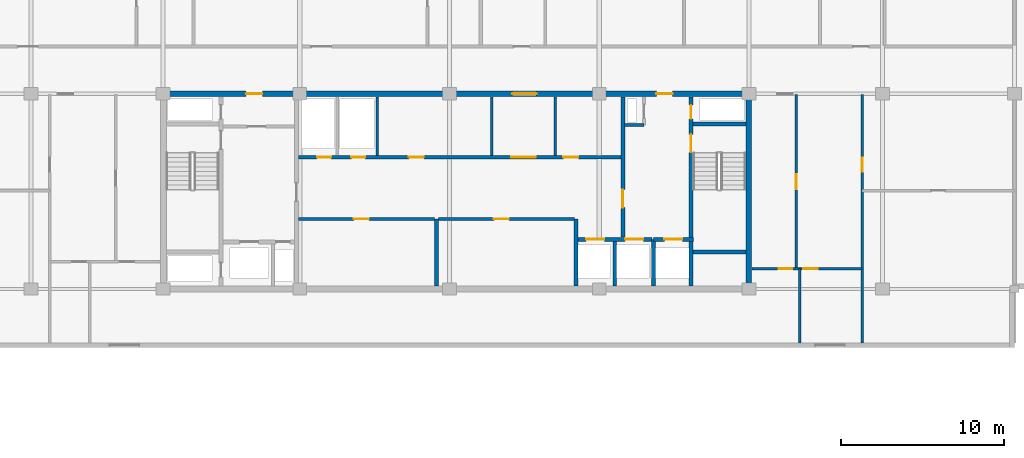
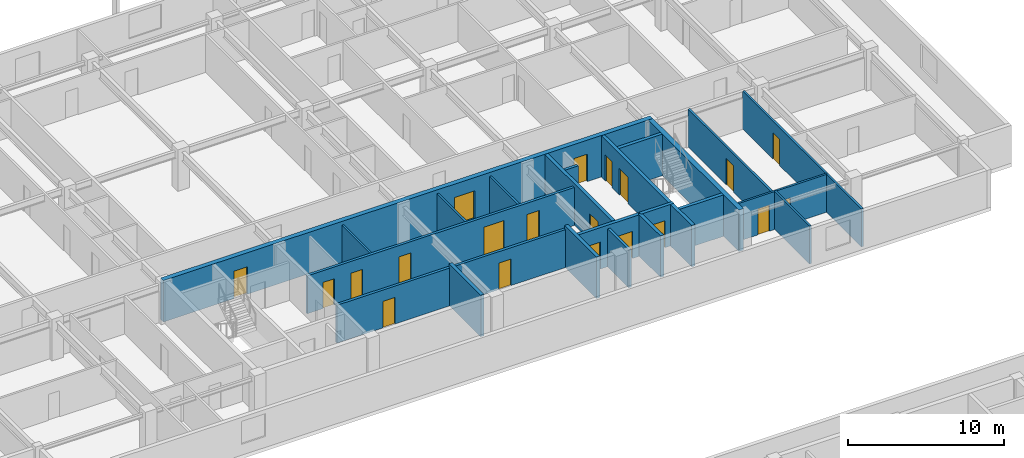
# One storey, part 12 of 22: 23 walls, 20 doors, 20 openings.
"""IFC4 building model written with IfcOpenShell, lengths in metres."""

from ifc_helpers import new_model, si_unit, direction, frame, frame_2d, origin, place, context, subcontext, project, spatial, rectangle, extrude, material, layer, layer_set, type_object, element, fill, save


model = new_model("IFC4")

# Units and contexts
model_context = context("Model", 3, precision=1e-05, world=origin(), true_north=direction((0.0, 1.0)))
body_context = subcontext(model_context, "Body", "Model", "MODEL_VIEW")
ifc_project = project(units=[si_unit("LENGTHUNIT", "METRE"), si_unit("AREAUNIT", "SQUARE_METRE"), si_unit("VOLUMEUNIT", "CUBIC_METRE"), si_unit("PLANEANGLEUNIT", "RADIAN"), si_unit("MASSUNIT", "GRAM", prefix="KILO")], contexts=[model_context])

# Site, building, storey
site_placement = place(None, origin())
site = spatial("IfcSite", under=ifc_project, at=site_placement, CompositionType="ELEMENT")
building_placement = place(site_placement, origin())
building = spatial("IfcBuilding", under=site, at=building_placement, Name="Korimba Cascade Residences", CompositionType="ELEMENT")
storey_placement = place(building_placement, frame((0.0, 0.0, 197.85009765625)))
storey = spatial("IfcBuildingStorey", under=building, at=storey_placement, Name="L57", CompositionType="ELEMENT", Elevation=197.85009765625)

# Wall
ifc_material_1 = material(Name="Concrete C65/80", Category="concrete")
ifc_layer_1 = layer(ifc_material_1, 0.35009765625)
ifc_layer_set_1 = layer_set([ifc_layer_1], Name="Concrete C65/80")
wall_type_1 = type_object("IfcWallType", Name="WAL-CORE-350", PredefinedType="SHEAR", material=ifc_layer_set_1)
wall_1_placement = place(storey_placement, frame((112.074951171875, 55.375, 0.0), z_axis=(0.0, 0.0, 1.0), x_axis=(0.0, 1.0, 0.0)))
element("IfcWall", 1, at=wall_1_placement, inside=storey, type_object=wall_type_1, Name="L57 Core Shear Wall CW-L57-T1-E", PredefinedType="SHEAR", context=body_context, shape_type="SweptSolid", body=[
    extrude(rectangle(XDim=11.64990234375, YDim=0.35009765625, at=frame_2d((5.824951171875, 0.0))), origin(), (0.0, 0.0, 1.0), 3.25),
])

# Wall, openings, doors
wall_2_placement = place(storey_placement, frame((75.949951171875, 67.199951171875, 0.0), z_axis=(0.0, 0.0, 1.0), x_axis=(1.0, 0.0, 0.0)))
wall_2 = element("IfcWall", 2, at=wall_2_placement, inside=storey, type_object=wall_type_1, Name="L57 Core Shear Wall CW-L57-T1-N", PredefinedType="SHEAR", context=body_context, shape_type="SweptSolid", body=[
    extrude(rectangle(XDim=36.300048828125, YDim=0.35009765625, at=frame_2d((18.14990234375, 0.0))), origin(), (0.0, 0.0, 1.0), 3.25),
])
opening_1_placement = place(wall_2_placement, frame((5.25, 0.0, 0.0)))
opening_1 = element("IfcOpeningElement", 3, at=opening_1_placement, cuts=wall_2, Name="Opening D-FD5", PredefinedType="OPENING", context=body_context, shape_type="SweptSolid", body=[
    extrude(rectangle(XDim=1.0, YDim=2.14990234375, at=frame_2d((0.5, 1.074951171875))), frame((0.0, 0.18505859375, 0.0), z_axis=(0.0, -1.0, 0.0), x_axis=(1.0, 0.0, 0.0)), (0.0, 0.0, 1.0), 0.3701171875),
])
opening_2_placement = place(wall_2_placement, frame((21.60009765625, 0.0, 0.0)))
opening_2 = element("IfcOpeningElement", 4, at=opening_2_placement, cuts=wall_2, Name="Opening D-FD8", PredefinedType="OPENING", context=body_context, shape_type="SweptSolid", body=[
    extrude(rectangle(XDim=1.5, YDim=2.199951171875, at=frame_2d((0.75, 1.10009765625))), frame((0.0, 0.18505859375, 0.0), z_axis=(0.0, -1.0, 0.0), x_axis=(1.0, 0.0, 0.0)), (0.0, 0.0, 1.0), 0.3701171875),
])
opening_3_placement = place(wall_2_placement, frame((30.449951171875, 0.0, 0.0)))
opening_3 = element("IfcOpeningElement", 5, at=opening_3_placement, cuts=wall_2, Name="Opening D-FD5", PredefinedType="OPENING", context=body_context, shape_type="SweptSolid", body=[
    extrude(rectangle(XDim=1.0, YDim=2.14990234375, at=frame_2d((0.5, 1.074951171875))), frame((0.0, 0.18505859375, 0.0), z_axis=(0.0, -1.0, 0.0), x_axis=(1.0, 0.0, 0.0)), (0.0, 0.0, 1.0), 0.3701171875),
])
ifc_material_2 = material(Name="Fire-Rated Acoustic Timber Vestibule Door", Category="wood")
door_type_1 = type_object("IfcDoorType", Name="DR-FD90-1000", OperationType="NOTDEFINED", PredefinedType="DOOR", material=ifc_material_2)
door_1_placement = place(opening_1_placement, origin())
door_1 = element("IfcDoor", 6, at=door_1_placement, inside=storey, type_object=door_type_1, Name="L57 T1 West Core Vestibule Fire Door", OperationType="SINGLE_SWING_RIGHT", OverallHeight=2.14990234375, OverallWidth=1.0, PredefinedType="DOOR", context=body_context, shape_type="SweptSolid", body=[
    extrude(rectangle(XDim=1.0, YDim=2.14990234375, at=frame_2d((0.5, 1.074951171875))), frame((0.0, 0.02490234375, 0.0), z_axis=(0.0, -1.0, 0.0), x_axis=(1.0, 0.0, 0.0)), (0.0, 0.0, 1.0), 0.050048828125),
])
fill(opening_1, door_1)
door_2_placement = place(opening_3_placement, origin())
door_2 = element("IfcDoor", 7, at=door_2_placement, inside=storey, type_object=door_type_1, Name="L57 T1 East Firefighting Vestibule Fire Door", OperationType="SINGLE_SWING_LEFT", OverallHeight=2.14990234375, OverallWidth=1.0, PredefinedType="DOOR", context=body_context, shape_type="SweptSolid", body=[
    extrude(rectangle(XDim=1.0, YDim=2.14990234375, at=frame_2d((0.5, 1.074951171875))), frame((0.0, 0.02490234375, 0.0), z_axis=(0.0, -1.0, 0.0), x_axis=(1.0, 0.0, 0.0)), (0.0, 0.0, 1.0), 0.050048828125),
])
fill(opening_3, door_2)
ifc_material_3 = material(Name="Fire-Rated Glazed Lift Lobby Double Door", Category="glass")
door_type_2 = type_object("IfcDoorType", Name="DR-FD90-1500", OperationType="NOTDEFINED", PredefinedType="DOOR", material=ifc_material_3)
door_3_placement = place(opening_2_placement, origin())
door_3 = element("IfcDoor", 8, at=door_3_placement, inside=storey, type_object=door_type_2, Name="L57 T1 Lift Lobby Fire Door", OperationType="DOUBLE_DOOR_SINGLE_SWING", OverallHeight=2.199951171875, OverallWidth=1.5, PredefinedType="DOOR", context=body_context, shape_type="SweptSolid", body=[
    extrude(rectangle(XDim=1.5, YDim=2.199951171875, at=frame_2d((0.75, 1.10009765625))), frame((0.0, 0.02490234375, 0.0), z_axis=(0.0, -1.0, 0.0), x_axis=(1.0, 0.0, 0.0)), (0.0, 0.0, 1.0), 0.050048828125),
])
fill(opening_2, door_3)

# Walls
ifc_material_4 = material(Name="Insulated Acoustic Stud Partition", Category="gypsum")
ifc_layer_2 = layer(ifc_material_4, 0.14990234375)
ifc_layer_set_2 = layer_set([ifc_layer_2], Name="Insulated Acoustic Stud Partition")
wall_type_2 = type_object("IfcWallType", Name="WAL-PART-150", PredefinedType="PARTITIONING", material=ifc_layer_set_2)
for number, where, z_axis, x_axis, name in (
    (9, (89.25, 63.39990234375, 0.0), (0.0, 0.0, 1.0), (0.0, 1.0, 0.0), "L57 Partition Wall CW-L57-T1-PRDIV"),
    (10, (96.300048828125, 63.39990234375, 0.0), (0.0, 0.0, 1.0), (0.0, 1.0, 0.0), "L57 Partition Wall CW-L57-T1-THW"),
    (11, (100.199951171875, 63.39990234375, 0.0), (0.0, 0.0, 1.0), (0.0, 1.0, 0.0), "L57 Partition Wall CW-L57-T1-THE"),
):
    element("IfcWall", number, at=place(storey_placement, frame(where, z_axis=z_axis, x_axis=x_axis)), inside=storey, type_object=wall_type_2, Name=name, PredefinedType="PARTITIONING", context=body_context, shape_type="SweptSolid", body=[
        extrude(rectangle(XDim=3.60009765625, YDim=0.14990234375, at=frame_2d((1.800048828125, 0.0))), origin(), (0.0, 0.0, 1.0), 2.969970703125),
    ])

# Wall, opening, door
wall_3_placement = place(storey_placement, frame((119.050048828125, 51.89990234375, 0.0), z_axis=(0.0, 0.0, 1.0), x_axis=(0.0, 1.0, 0.0)))
wall_3 = element("IfcWall", 12, at=wall_3_placement, inside=storey, type_object=wall_type_2, Name="L57 Partition Wall WAL-L57-T1-FE-STV", PredefinedType="PARTITIONING", context=body_context, shape_type="SweptSolid", body=[
    extrude(rectangle(XDim=15.25, YDim=0.14990234375, at=frame_2d((7.625, 0.0))), origin(), (0.0, 0.0, 1.0), 2.969970703125),
])
opening_4_placement = place(wall_3_placement, frame((10.5, 0.0, 0.0)))
opening_4 = element("IfcOpeningElement", 13, at=opening_4_placement, cuts=wall_3, Name="Opening D-IN2", PredefinedType="OPENING", context=body_context, shape_type="SweptSolid", body=[
    extrude(rectangle(XDim=0.8798828125, YDim=2.06005859375, at=frame_2d((0.43994140625, 1.030029296875))), frame((0.0, 0.0849609375, 0.0), z_axis=(0.0, -1.0, 0.0), x_axis=(1.0, 0.0, 0.0)), (0.0, 0.0, 1.0), 0.169921875),
])
ifc_material_5 = material(Name="Acoustic Timber Bedroom Door", Category="wood")
door_type_3 = type_object("IfcDoorType", Name="DR-INT-880", OperationType="NOTDEFINED", PredefinedType="DOOR", material=ifc_material_5)
door_4_placement = place(opening_4_placement, origin())
door_4 = element("IfcDoor", 14, at=door_4_placement, inside=storey, type_object=door_type_3, Name="L57-T1-FE Study Door", OperationType="SINGLE_SWING_LEFT", OverallHeight=2.06005859375, OverallWidth=0.8798828125, PredefinedType="DOOR", context=body_context, shape_type="SweptSolid", body=[
    extrude(rectangle(XDim=0.8798828125, YDim=2.06005859375, at=frame_2d((0.43994140625, 1.030029296875))), frame((0.0, 0.02490234375, 0.0), z_axis=(0.0, -1.0, 0.0), x_axis=(1.0, 0.0, 0.0)), (0.0, 0.0, 1.0), 0.050048828125),
])
fill(opening_4, door_4)

wall_4_placement = place(storey_placement, frame((115.0, 56.449951171875, 0.0), z_axis=(0.0, 0.0, 1.0), x_axis=(0.0, 1.0, 0.0)))
wall_4 = element("IfcWall", 15, at=wall_4_placement, inside=storey, type_object=wall_type_2, Name="L57 Partition Wall WAL-L57-T1-FE-VN", PredefinedType="PARTITIONING", context=body_context, shape_type="SweptSolid", body=[
    extrude(rectangle(XDim=10.699951171875, YDim=0.14990234375, at=frame_2d((5.35009765625, 0.0))), origin(), (0.0, 0.0, 1.0), 2.969970703125),
])
opening_5_placement = place(wall_4_placement, frame((4.889892578125, 0.0, 0.0)))
opening_5 = element("IfcOpeningElement", 16, at=opening_5_placement, cuts=wall_4, Name="Opening D-IN1", PredefinedType="OPENING", context=body_context, shape_type="SweptSolid", body=[
    extrude(rectangle(XDim=0.919921875, YDim=2.080078125, at=frame_2d((0.4599609375, 1.0400390625))), frame((0.0, 0.0849609375, 0.0), z_axis=(0.0, -1.0, 0.0), x_axis=(1.0, 0.0, 0.0)), (0.0, 0.0, 1.0), 0.169921875),
])
ifc_material_6 = material(Name="Acoustic Timber Living Door", Category="wood")
door_type_4 = type_object("IfcDoorType", Name="DR-INT-920", OperationType="NOTDEFINED", PredefinedType="DOOR", material=ifc_material_6)
door_5_placement = place(opening_5_placement, origin())
door_5 = element("IfcDoor", 17, at=door_5_placement, inside=storey, type_object=door_type_4, Name="L57-T1-FE Living Door", OperationType="SINGLE_SWING_RIGHT", OverallHeight=2.080078125, OverallWidth=0.919921875, PredefinedType="DOOR", context=body_context, shape_type="SweptSolid", body=[
    extrude(rectangle(XDim=0.919921875, YDim=2.080078125, at=frame_2d((0.4599609375, 1.0400390625))), frame((0.0, 0.02490234375, 0.0), z_axis=(0.0, -1.0, 0.0), x_axis=(1.0, 0.0, 0.0)), (0.0, 0.0, 1.0), 0.050048828125),
])
fill(opening_5, door_5)

# Wall
wall_5_placement = place(storey_placement, frame((115.199951171875, 51.89990234375, 0.0), z_axis=(0.0, 0.0, 1.0), x_axis=(0.0, 1.0, 0.0)))
element("IfcWall", 18, at=wall_5_placement, inside=storey, type_object=wall_type_2, Name="L57 Partition Wall WAL-L57-T1-FE-VS", PredefinedType="PARTITIONING", context=body_context, shape_type="SweptSolid", body=[
    extrude(rectangle(XDim=4.550048828125, YDim=0.14990234375, at=frame_2d((2.27490234375, 0.0))), origin(), (0.0, 0.0, 1.0), 2.969970703125),
])

# Wall, openings, doors
wall_6_placement = place(storey_placement, frame((112.27001953125, 56.449951171875, 0.0), z_axis=(0.0, 0.0, 1.0), x_axis=(1.0, 0.0, 0.0)))
wall_6 = element("IfcWall", 19, at=wall_6_placement, inside=storey, type_object=wall_type_2, Name="L57 Partition Wall WAL-L57-T1-FE-H", PredefinedType="PARTITIONING", context=body_context, shape_type="SweptSolid", body=[
    extrude(rectangle(XDim=6.760009765625, YDim=0.14990234375, at=frame_2d((3.3798828125, 0.0))), origin(), (0.0, 0.0, 1.0), 2.969970703125),
])
opening_6_placement = place(wall_6_placement, frame((1.6396484375, 0.0, 0.0)))
opening_6 = element("IfcOpeningElement", 20, at=opening_6_placement, cuts=wall_6, Name="Opening D-BT1", PredefinedType="OPENING", context=body_context, shape_type="SweptSolid", body=[
    extrude(rectangle(XDim=0.840087890625, YDim=2.0400390625, at=frame_2d((0.419921875, 1.02001953125))), frame((0.0, 0.0849609375, 0.0), z_axis=(0.0, -1.0, 0.0), x_axis=(1.0, 0.0, 0.0)), (0.0, 0.0, 1.0), 0.169921875),
])
opening_7_placement = place(wall_6_placement, frame((3.160400390625, 0.0, 0.0)))
opening_7 = element("IfcOpeningElement", 21, at=opening_7_placement, cuts=wall_6, Name="Opening D-IN2", PredefinedType="OPENING", context=body_context, shape_type="SweptSolid", body=[
    extrude(rectangle(XDim=0.8798828125, YDim=2.06005859375, at=frame_2d((0.43994140625, 1.030029296875))), frame((0.0, 0.0849609375, 0.0), z_axis=(0.0, -1.0, 0.0), x_axis=(1.0, 0.0, 0.0)), (0.0, 0.0, 1.0), 0.169921875),
])
ifc_material_7 = material(Name="Moisture-Resistant Bathroom Timber Door", Category="wood")
door_type_5 = type_object("IfcDoorType", Name="DR-INT-850", OperationType="NOTDEFINED", PredefinedType="DOOR", material=ifc_material_7)
door_6_placement = place(opening_6_placement, origin())
door_6 = element("IfcDoor", 22, at=door_6_placement, inside=storey, type_object=door_type_5, Name="L57-T1-FE Bathroom Door", OperationType="SINGLE_SWING_LEFT", OverallHeight=2.0400390625, OverallWidth=0.840087890625, PredefinedType="DOOR", context=body_context, shape_type="SweptSolid", body=[
    extrude(rectangle(XDim=0.840087890625, YDim=2.0400390625, at=frame_2d((0.419921875, 1.02001953125))), frame((0.0, 0.02490234375, 0.0), z_axis=(0.0, -1.0, 0.0), x_axis=(1.0, 0.0, 0.0)), (0.0, 0.0, 1.0), 0.050048828125),
])
fill(opening_6, door_6)
door_7_placement = place(opening_7_placement, origin())
door_7 = element("IfcDoor", 23, at=door_7_placement, inside=storey, type_object=door_type_3, Name="L57-T1-FE Bedroom Door", OperationType="SINGLE_SWING_RIGHT", OverallHeight=2.06005859375, OverallWidth=0.8798828125, PredefinedType="DOOR", context=body_context, shape_type="SweptSolid", body=[
    extrude(rectangle(XDim=0.8798828125, YDim=2.06005859375, at=frame_2d((0.43994140625, 1.030029296875))), frame((0.0, 0.02490234375, 0.0), z_axis=(0.0, -1.0, 0.0), x_axis=(1.0, 0.0, 0.0)), (0.0, 0.0, 1.0), 0.050048828125),
])
fill(opening_7, door_7)

# Wall, opening, door
ifc_material_8 = material(Name="Concrete C40/50", Category="concrete")
ifc_layer_3 = layer(ifc_material_8, 0.199951171875)
ifc_layer_set_3 = layer_set([ifc_layer_3], Name="Concrete C40/50")
wall_type_3 = type_object("IfcWallType", Name="WAL-PART-200", PredefinedType="PARTITIONING", material=ifc_layer_set_3)
wall_7_placement = place(storey_placement, frame((84.419921875, 59.5, 0.0), z_axis=(0.0, 0.0, 1.0), x_axis=(1.0, 0.0, 0.0)))
wall_7 = element("IfcWall", 24, at=wall_7_placement, inside=storey, type_object=wall_type_3, Name="L57 Partition Wall CW-L57-T1-B1RN", PredefinedType="PARTITIONING", context=body_context, shape_type="SweptSolid", body=[
    extrude(rectangle(XDim=8.360107421875, YDim=0.199951171875, at=frame_2d((4.18017578125, 0.0))), origin(), (0.0, 0.0, 1.0), 2.969970703125),
])
opening_8_placement = place(wall_7_placement, frame((3.39990234375, 0.0, 0.0)))
opening_8 = element("IfcOpeningElement", 25, at=opening_8_placement, cuts=wall_7, Name="Opening D-ST1", PredefinedType="OPENING", context=body_context, shape_type="SweptSolid", body=[
    extrude(rectangle(XDim=0.919921875, YDim=2.080078125, at=frame_2d((0.4599609375, 1.0400390625))), frame((0.0, 0.10986328125, 0.0), z_axis=(0.0, -1.0, 0.0), x_axis=(1.0, 0.0, 0.0)), (0.0, 0.0, 1.0), 0.219970703125),
])
ifc_material_9 = material(Name="Fire-Rated Core Store Door", Category="wood")
door_type_6 = type_object("IfcDoorType", Name="DR-FD60-920", OperationType="NOTDEFINED", PredefinedType="DOOR", material=ifc_material_9)
door_8_placement = place(opening_8_placement, origin())
door_8 = element("IfcDoor", 26, at=door_8_placement, inside=storey, type_object=door_type_6, Name="L57 Resident Storage Door", OperationType="SINGLE_SWING_RIGHT", OverallHeight=2.080078125, OverallWidth=0.919921875, PredefinedType="DOOR", context=body_context, shape_type="SweptSolid", body=[
    extrude(rectangle(XDim=0.919921875, YDim=2.080078125, at=frame_2d((0.4599609375, 1.0400390625))), frame((0.0, 0.02490234375, 0.0), z_axis=(0.0, -1.0, 0.0), x_axis=(1.0, 0.0, 0.0)), (0.0, 0.0, 1.0), 0.050048828125),
])
fill(opening_8, door_8)

wall_8_placement = place(storey_placement, frame((93.02001953125, 59.5, 0.0), z_axis=(0.0, 0.0, 1.0), x_axis=(1.0, 0.0, 0.0)))
wall_8 = element("IfcWall", 27, at=wall_8_placement, inside=storey, type_object=wall_type_3, Name="L57 Partition Wall CW-L57-T1-B2RN", PredefinedType="PARTITIONING", context=body_context, shape_type="SweptSolid", body=[
    extrude(rectangle(XDim=8.35986328125, YDim=0.199951171875, at=frame_2d((4.179931640625, 0.0))), origin(), (0.0, 0.0, 1.0), 2.969970703125),
])
opening_9_placement = place(wall_8_placement, frame((3.39990234375, 0.0, 0.0)))
opening_9 = element("IfcOpeningElement", 28, at=opening_9_placement, cuts=wall_8, Name="Opening D-ST1", PredefinedType="OPENING", context=body_context, shape_type="SweptSolid", body=[
    extrude(rectangle(XDim=0.919921875, YDim=2.080078125, at=frame_2d((0.4599609375, 1.0400390625))), frame((0.0, 0.10986328125, 0.0), z_axis=(0.0, -1.0, 0.0), x_axis=(1.0, 0.0, 0.0)), (0.0, 0.0, 1.0), 0.219970703125),
])
door_9_placement = place(opening_9_placement, origin())
door_9 = element("IfcDoor", 29, at=door_9_placement, inside=storey, type_object=door_type_6, Name="L57 Wine Cellar Store Door", OperationType="SINGLE_SWING_LEFT", OverallHeight=2.080078125, OverallWidth=0.919921875, PredefinedType="DOOR", context=body_context, shape_type="SweptSolid", body=[
    extrude(rectangle(XDim=0.919921875, YDim=2.080078125, at=frame_2d((0.4599609375, 1.0400390625))), frame((0.0, 0.02490234375, 0.0), z_axis=(0.0, -1.0, 0.0), x_axis=(1.0, 0.0, 0.0)), (0.0, 0.0, 1.0), 0.050048828125),
])
fill(opening_9, door_9)

# Wall
wall_9_placement = place(storey_placement, frame((103.85009765625, 55.39990234375, 0.0), z_axis=(0.0, 0.0, 1.0), x_axis=(0.0, 1.0, 0.0)))
element("IfcWall", 30, at=wall_9_placement, inside=storey, type_object=wall_type_3, Name="L57 Partition Wall CW-L57-T1-B3D1", PredefinedType="PARTITIONING", context=body_context, shape_type="SweptSolid", body=[
    extrude(rectangle(XDim=2.72021484375, YDim=0.199951171875, at=frame_2d((1.360107421875, 0.0))), origin(), (0.0, 0.0, 1.0), 2.969970703125),
])

# Wall, openings, doors
wall_10_placement = place(storey_placement, frame((84.419921875, 63.300048828125, 0.0), z_axis=(0.0, 0.0, 1.0), x_axis=(1.0, 0.0, 0.0)))
wall_10 = element("IfcWall", 31, at=wall_10_placement, inside=storey, type_object=wall_type_3, Name="L57 Partition Wall CW-L57-T1-SRVROW", PredefinedType="PARTITIONING", context=body_context, shape_type="SweptSolid", body=[
    extrude(rectangle(XDim=19.830078125, YDim=0.199951171875, at=frame_2d((9.9150390625, 0.0))), origin(), (0.0, 0.0, 1.0), 2.969970703125),
])
opening_10_placement = place(wall_10_placement, frame((1.14990234375, 0.0, 0.0)))
opening_10 = element("IfcOpeningElement", 32, at=opening_10_placement, cuts=wall_10, Name="Opening D-RS1", PredefinedType="OPENING", context=body_context, shape_type="SweptSolid", body=[
    extrude(rectangle(XDim=0.85009765625, YDim=2.050048828125, at=frame_2d((0.425048828125, 1.02490234375))), frame((0.0, 0.10986328125, 0.0), z_axis=(0.0, -1.0, 0.0), x_axis=(1.0, 0.0, 0.0)), (0.0, 0.0, 1.0), 0.219970703125),
])
opening_11_placement = place(wall_10_placement, frame((3.25, 0.0, 0.0)))
opening_11 = element("IfcOpeningElement", 33, at=opening_11_placement, cuts=wall_10, Name="Opening D-RS1", PredefinedType="OPENING", context=body_context, shape_type="SweptSolid", body=[
    extrude(rectangle(XDim=0.85009765625, YDim=2.050048828125, at=frame_2d((0.425048828125, 1.02490234375))), frame((0.0, 0.10986328125, 0.0), z_axis=(0.0, -1.0, 0.0), x_axis=(1.0, 0.0, 0.0)), (0.0, 0.0, 1.0), 0.219970703125),
])
opening_12_placement = place(wall_10_placement, frame((13.080078125, 0.0, 0.0)))
opening_12 = element("IfcOpeningElement", 34, at=opening_12_placement, cuts=wall_10, Name="Opening D-FD8", PredefinedType="OPENING", context=body_context, shape_type="SweptSolid", body=[
    extrude(rectangle(XDim=1.5, YDim=2.199951171875, at=frame_2d((0.75, 1.10009765625))), frame((0.0, 0.10986328125, 0.0), z_axis=(0.0, -1.0, 0.0), x_axis=(1.0, 0.0, 0.0)), (0.0, 0.0, 1.0), 0.219970703125),
])
opening_13_placement = place(wall_10_placement, frame((6.780029296875, 0.0, 0.0)))
opening_13 = element("IfcOpeningElement", 35, at=opening_13_placement, cuts=wall_10, Name="Opening D-IN1", PredefinedType="OPENING", context=body_context, shape_type="SweptSolid", body=[
    extrude(rectangle(XDim=0.919921875, YDim=2.080078125, at=frame_2d((0.4599609375, 1.0400390625))), frame((0.0, 0.10986328125, 0.0), z_axis=(0.0, -1.0, 0.0), x_axis=(1.0, 0.0, 0.0)), (0.0, 0.0, 1.0), 0.219970703125),
])
opening_14_placement = place(wall_10_placement, frame((16.280029296875, 0.0, 0.0)))
opening_14 = element("IfcOpeningElement", 36, at=opening_14_placement, cuts=wall_10, Name="Opening D-IN1", PredefinedType="OPENING", context=body_context, shape_type="SweptSolid", body=[
    extrude(rectangle(XDim=0.919921875, YDim=2.080078125, at=frame_2d((0.4599609375, 1.0400390625))), frame((0.0, 0.10986328125, 0.0), z_axis=(0.0, -1.0, 0.0), x_axis=(1.0, 0.0, 0.0)), (0.0, 0.0, 1.0), 0.219970703125),
])
ifc_material_10 = material(Name="Fire-Rated Steel Riser Access Door", Category="steel")
door_type_7 = type_object("IfcDoorType", Name="DR-FD60-850", OperationType="NOTDEFINED", PredefinedType="DOOR", material=ifc_material_10)
door_10_placement = place(opening_10_placement, origin())
door_10 = element("IfcDoor", 37, at=door_10_placement, inside=storey, type_object=door_type_7, Name="L57 Electrical Riser Door", OperationType="SINGLE_SWING_RIGHT", OverallHeight=2.050048828125, OverallWidth=0.85009765625, PredefinedType="DOOR", context=body_context, shape_type="SweptSolid", body=[
    extrude(rectangle(XDim=0.85009765625, YDim=2.050048828125, at=frame_2d((0.425048828125, 1.02490234375))), frame((0.0, 0.02490234375, 0.0), z_axis=(0.0, -1.0, 0.0), x_axis=(1.0, 0.0, 0.0)), (0.0, 0.0, 1.0), 0.050048828125),
])
fill(opening_10, door_10)
door_11_placement = place(opening_11_placement, origin())
door_11 = element("IfcDoor", 38, at=door_11_placement, inside=storey, type_object=door_type_7, Name="L57 Plumbing Riser Door", OperationType="SINGLE_SWING_LEFT", OverallHeight=2.050048828125, OverallWidth=0.85009765625, PredefinedType="DOOR", context=body_context, shape_type="SweptSolid", body=[
    extrude(rectangle(XDim=0.85009765625, YDim=2.050048828125, at=frame_2d((0.425048828125, 1.02490234375))), frame((0.0, 0.02490234375, 0.0), z_axis=(0.0, -1.0, 0.0), x_axis=(1.0, 0.0, 0.0)), (0.0, 0.0, 1.0), 0.050048828125),
])
fill(opening_11, door_11)
door_12_placement = place(opening_12_placement, origin())
door_12 = element("IfcDoor", 39, at=door_12_placement, inside=storey, type_object=door_type_2, Name="L57 Lift Lobby Foyer Archway Door", OperationType="DOUBLE_DOOR_SINGLE_SWING", OverallHeight=2.199951171875, OverallWidth=1.5, PredefinedType="DOOR", context=body_context, shape_type="SweptSolid", body=[
    extrude(rectangle(XDim=1.5, YDim=2.199951171875, at=frame_2d((0.75, 1.10009765625))), frame((0.0, 0.02490234375, 0.0), z_axis=(0.0, -1.0, 0.0), x_axis=(1.0, 0.0, 0.0)), (0.0, 0.0, 1.0), 0.050048828125),
])
fill(opening_12, door_12)
door_13_placement = place(opening_13_placement, origin())
door_13 = element("IfcDoor", 40, at=door_13_placement, inside=storey, type_object=door_type_4, Name="L57 Housekeeping Door", OperationType="SINGLE_SWING_RIGHT", OverallHeight=2.080078125, OverallWidth=0.919921875, PredefinedType="DOOR", context=body_context, shape_type="SweptSolid", body=[
    extrude(rectangle(XDim=0.919921875, YDim=2.080078125, at=frame_2d((0.4599609375, 1.0400390625))), frame((0.0, 0.02490234375, 0.0), z_axis=(0.0, -1.0, 0.0), x_axis=(1.0, 0.0, 0.0)), (0.0, 0.0, 1.0), 0.050048828125),
])
fill(opening_13, door_13)
door_14_placement = place(opening_14_placement, origin())
door_14 = element("IfcDoor", 41, at=door_14_placement, inside=storey, type_object=door_type_4, Name="L57 Store Door", OperationType="SINGLE_SWING_LEFT", OverallHeight=2.080078125, OverallWidth=0.919921875, PredefinedType="DOOR", context=body_context, shape_type="SweptSolid", body=[
    extrude(rectangle(XDim=0.919921875, YDim=2.080078125, at=frame_2d((0.4599609375, 1.0400390625))), frame((0.0, 0.02490234375, 0.0), z_axis=(0.0, -1.0, 0.0), x_axis=(1.0, 0.0, 0.0)), (0.0, 0.0, 1.0), 0.050048828125),
])
fill(opening_14, door_14)

# Walls
wall_11_placement = place(storey_placement, frame((104.449951171875, 65.280029296875, 0.0), z_axis=(0.0, 0.0, 1.0), x_axis=(1.0, 0.0, 0.0)))
element("IfcWall", 42, at=wall_11_placement, inside=storey, type_object=wall_type_3, Name="L57 Partition Wall CW-L57-T1-HYDW2S", PredefinedType="PARTITIONING", context=body_context, shape_type="SweptSolid", body=[
    extrude(rectangle(XDim=1.199951171875, YDim=0.199951171875, at=frame_2d((0.60009765625, 0.0))), origin(), (0.0, 0.0, 1.0), 2.969970703125),
])
ifc_material_11 = material(Name="Concrete C50/60", Category="concrete")
ifc_layer_4 = layer(ifc_material_11, 0.25)
ifc_layer_set_4 = layer_set([ifc_layer_4], Name="Concrete C50/60")
wall_type_4 = type_object("IfcWallType", Name="WAL-SHAFT-250", PredefinedType="SHEAR", material=ifc_layer_set_4)
for number, where, z_axis, x_axis, name in (
    (43, (92.89990234375, 55.39990234375, 0.0), (0.0, 0.0, 1.0), (0.0, 1.0, 0.0), "L57 Core Shear Wall CW-L57-T1-B12DIV"),
    (44, (101.47998046875, 55.39990234375, 0.0), (0.0, 0.0, 1.0), (0.0, 1.0, 0.0), "L57 Core Shear Wall CW-L57-T1-B23DIV"),
):
    element("IfcWall", number, at=place(storey_placement, frame(where, z_axis=z_axis, x_axis=x_axis)), inside=storey, type_object=wall_type_4, Name=name, PredefinedType="SHEAR", context=body_context, shape_type="SweptSolid", body=[
        extrude(rectangle(XDim=4.10009765625, YDim=0.25, at=frame_2d((2.050048828125, 0.0))), origin(), (0.0, 0.0, 1.0), 3.25),
    ])

# Wall, openings, doors
wall_12_placement = place(storey_placement, frame((101.550048828125, 58.25, 0.0), z_axis=(0.0, 0.0, 1.0), x_axis=(1.0, 0.0, 0.0)))
wall_12 = element("IfcWall", 45, at=wall_12_placement, inside=storey, type_object=wall_type_4, Name="L57 Core Shear Wall CW-L57-T1-B3N", PredefinedType="SHEAR", context=body_context, shape_type="SweptSolid", body=[
    extrude(rectangle(XDim=4.599853515625, YDim=0.25, at=frame_2d((2.2998046875, 0.0))), origin(), (0.0, 0.0, 1.0), 3.25),
])
opening_15_placement = place(wall_12_placement, frame((0.5400390625, 0.0, 0.0)))
opening_15 = element("IfcOpeningElement", 46, at=opening_15_placement, cuts=wall_12, Name="Opening LD-01", PredefinedType="OPENING", context=body_context, shape_type="SweptSolid", body=[
    extrude(rectangle(XDim=1.1201171875, YDim=2.1201171875, at=frame_2d((0.56005859375, 1.06005859375))), frame((0.0, 0.135009765625, 0.0), z_axis=(0.0, -1.0, 0.0), x_axis=(1.0, 0.0, 0.0)), (0.0, 0.0, 1.0), 0.27001953125),
])
opening_16_placement = place(wall_12_placement, frame((2.93994140625, 0.0, 0.0)))
opening_16 = element("IfcOpeningElement", 47, at=opening_16_placement, cuts=wall_12, Name="Opening LD-01", PredefinedType="OPENING", context=body_context, shape_type="SweptSolid", body=[
    extrude(rectangle(XDim=1.1201171875, YDim=2.1201171875, at=frame_2d((0.56005859375, 1.06005859375))), frame((0.0, 0.135009765625, 0.0), z_axis=(0.0, -1.0, 0.0), x_axis=(1.0, 0.0, 0.0)), (0.0, 0.0, 1.0), 0.27001953125),
])
ifc_material_12 = material(Name="Stainless Steel Lift Landing Sliding Door", Category="steel")
door_type_8 = type_object("IfcDoorType", Name="DR-LIFT-1100", OperationType="NOTDEFINED", PredefinedType="DOOR", material=ifc_material_12)
door_15_placement = place(opening_15_placement, origin())
door_15 = element("IfcDoor", 48, at=door_15_placement, inside=storey, type_object=door_type_8, Name="L57 Lift Landing Door PL-W7", OperationType="SLIDING_TO_LEFT", OverallHeight=2.1201171875, OverallWidth=1.1201171875, PredefinedType="DOOR", context=body_context, shape_type="SweptSolid", body=[
    extrude(rectangle(XDim=1.1201171875, YDim=2.1201171875, at=frame_2d((0.56005859375, 1.06005859375))), frame((0.0, 0.02490234375, 0.0), z_axis=(0.0, -1.0, 0.0), x_axis=(1.0, 0.0, 0.0)), (0.0, 0.0, 1.0), 0.050048828125),
])
fill(opening_15, door_15)
door_16_placement = place(opening_16_placement, origin())
door_16 = element("IfcDoor", 49, at=door_16_placement, inside=storey, type_object=door_type_8, Name="L57 Lift Landing Door PL-W8", OperationType="SLIDING_TO_LEFT", OverallHeight=2.1201171875, OverallWidth=1.1201171875, PredefinedType="DOOR", context=body_context, shape_type="SweptSolid", body=[
    extrude(rectangle(XDim=1.1201171875, YDim=2.1201171875, at=frame_2d((0.56005859375, 1.06005859375))), frame((0.0, 0.02490234375, 0.0), z_axis=(0.0, -1.0, 0.0), x_axis=(1.0, 0.0, 0.0)), (0.0, 0.0, 1.0), 0.050048828125),
])
fill(opening_16, door_16)

# Wall
wall_13_placement = place(storey_placement, frame((106.219970703125, 55.39990234375, 0.0), z_axis=(0.0, 0.0, 1.0), x_axis=(0.0, 1.0, 0.0)))
element("IfcWall", 50, at=wall_13_placement, inside=storey, type_object=wall_type_4, Name="L57 Core Shear Wall CW-L57-T1-FF2W", PredefinedType="SHEAR", context=body_context, shape_type="SweptSolid", body=[
    extrude(rectangle(XDim=2.85009765625, YDim=0.25, at=frame_2d((1.425048828125, 0.0))), origin(), (0.0, 0.0, 1.0), 3.25),
])

# Wall, opening, door
wall_14_placement = place(storey_placement, frame((106.219970703125, 58.25, 0.0), z_axis=(0.0, 0.0, 1.0), x_axis=(1.0, 0.0, 0.0)))
wall_14 = element("IfcWall", 51, at=wall_14_placement, inside=storey, type_object=wall_type_4, Name="L57 Core Shear Wall CW-L57-T1-FF2N", PredefinedType="SHEAR", context=body_context, shape_type="SweptSolid", body=[
    extrude(rectangle(XDim=2.4599609375, YDim=0.25, at=frame_2d((1.22998046875, 0.0))), origin(), (0.0, 0.0, 1.0), 3.25),
])
opening_17_placement = place(wall_14_placement, frame((0.669921875, 0.0, 0.0)))
opening_17 = element("IfcOpeningElement", 52, at=opening_17_placement, cuts=wall_14, Name="Opening LD-01", PredefinedType="OPENING", context=body_context, shape_type="SweptSolid", body=[
    extrude(rectangle(XDim=1.1201171875, YDim=2.1201171875, at=frame_2d((0.56005859375, 1.06005859375))), frame((0.0, 0.135009765625, 0.0), z_axis=(0.0, -1.0, 0.0), x_axis=(1.0, 0.0, 0.0)), (0.0, 0.0, 1.0), 0.27001953125),
])
door_17_placement = place(opening_17_placement, origin())
door_17 = element("IfcDoor", 53, at=door_17_placement, inside=storey, type_object=door_type_8, Name="L57 Firefighting Lift Landing Door FFL-W2", OperationType="SLIDING_TO_RIGHT", OverallHeight=2.1201171875, OverallWidth=1.1201171875, PredefinedType="DOOR", context=body_context, shape_type="SweptSolid", body=[
    extrude(rectangle(XDim=1.1201171875, YDim=2.1201171875, at=frame_2d((0.56005859375, 1.06005859375))), frame((0.0, 0.02490234375, 0.0), z_axis=(0.0, -1.0, 0.0), x_axis=(1.0, 0.0, 0.0)), (0.0, 0.0, 1.0), 0.050048828125),
])
fill(opening_17, door_17)

wall_15_placement = place(storey_placement, frame((104.35009765625, 58.39990234375, 0.0), z_axis=(0.0, 0.0, 1.0), x_axis=(0.0, 1.0, 0.0)))
wall_15 = element("IfcWall", 54, at=wall_15_placement, inside=storey, type_object=wall_type_4, Name="L57 Core Shear Wall CW-L57-T1-LLEV", PredefinedType="SHEAR", context=body_context, shape_type="SweptSolid", body=[
    extrude(rectangle(XDim=8.60009765625, YDim=0.25, at=frame_2d((4.300048828125, 0.0))), origin(), (0.0, 0.0, 1.0), 3.25),
])
opening_18_placement = place(wall_15_placement, frame((1.800048828125, 0.0, 0.0)))
opening_18 = element("IfcOpeningElement", 55, at=opening_18_placement, cuts=wall_15, Name="Opening D-FD1", PredefinedType="OPENING", context=body_context, shape_type="SweptSolid", body=[
    extrude(rectangle(XDim=1.10009765625, YDim=2.10009765625, at=frame_2d((0.550048828125, 1.050048828125))), frame((0.0, 0.135009765625, 0.0), z_axis=(0.0, -1.0, 0.0), x_axis=(1.0, 0.0, 0.0)), (0.0, 0.0, 1.0), 0.27001953125),
])
ifc_material_13 = material(Name="Fire-Rated Steel Core Door", Category="steel")
door_type_9 = type_object("IfcDoorType", Name="DR-FD120-1100", OperationType="NOTDEFINED", PredefinedType="DOOR", material=ifc_material_13)
door_18_placement = place(opening_18_placement, origin())
door_18 = element("IfcDoor", 56, at=door_18_placement, inside=storey, type_object=door_type_9, Name="L57 Lift Lobby to East Firefighting Lobby Door", OperationType="SINGLE_SWING_LEFT", OverallHeight=2.10009765625, OverallWidth=1.10009765625, PredefinedType="DOOR", context=body_context, shape_type="SweptSolid", body=[
    extrude(rectangle(XDim=1.10009765625, YDim=2.10009765625, at=frame_2d((0.550048828125, 1.050048828125))), frame((0.0, 0.02490234375, 0.0), z_axis=(0.0, -1.0, 0.0), x_axis=(1.0, 0.0, 0.0)), (0.0, 0.0, 1.0), 0.050048828125),
])
fill(opening_18, door_18)

# Wall, openings, doors
wall_16_placement = place(storey_placement, frame((108.534912109375, 55.39990234375, 0.0), z_axis=(0.0, 0.0, 1.0), x_axis=(0.0, 1.0, 0.0)))
wall_16 = element("IfcWall", 57, at=wall_16_placement, inside=storey, type_object=wall_type_4, Name="L57 Core Shear Wall CW-L57-T1-STW2W", PredefinedType="SHEAR", context=body_context, shape_type="SweptSolid", body=[
    extrude(rectangle(XDim=11.60009765625, YDim=0.25, at=frame_2d((5.800048828125, 0.0))), origin(), (0.0, 0.0, 1.0), 3.25),
])
opening_19_placement = place(wall_16_placement, frame((8.199951171875, 0.0, 0.0)))
opening_19 = element("IfcOpeningElement", 58, at=opening_19_placement, cuts=wall_16, Name="Opening D-FD1", PredefinedType="OPENING", context=body_context, shape_type="SweptSolid", body=[
    extrude(rectangle(XDim=1.10009765625, YDim=2.10009765625, at=frame_2d((0.550048828125, 1.050048828125))), frame((0.0, 0.135009765625, 0.0), z_axis=(0.0, -1.0, 0.0), x_axis=(1.0, 0.0, 0.0)), (0.0, 0.0, 1.0), 0.27001953125),
])
opening_20_placement = place(wall_16_placement, frame((10.25, 0.0, 0.0)))
opening_20 = element("IfcOpeningElement", 59, at=opening_20_placement, cuts=wall_16, Name="Opening D-RS1", PredefinedType="OPENING", context=body_context, shape_type="SweptSolid", body=[
    extrude(rectangle(XDim=0.85009765625, YDim=2.050048828125, at=frame_2d((0.425048828125, 1.02490234375))), frame((0.0, 0.135009765625, 0.0), z_axis=(0.0, -1.0, 0.0), x_axis=(1.0, 0.0, 0.0)), (0.0, 0.0, 1.0), 0.27001953125),
])
door_19_placement = place(opening_19_placement, origin())
door_19 = element("IfcDoor", 60, at=door_19_placement, inside=storey, type_object=door_type_9, Name="L57 Fire Stair ST-W2 Door", OperationType="SINGLE_SWING_RIGHT", OverallHeight=2.10009765625, OverallWidth=1.10009765625, PredefinedType="DOOR", context=body_context, shape_type="SweptSolid", body=[
    extrude(rectangle(XDim=1.10009765625, YDim=2.10009765625, at=frame_2d((0.550048828125, 1.050048828125))), frame((0.0, 0.02490234375, 0.0), z_axis=(0.0, -1.0, 0.0), x_axis=(1.0, 0.0, 0.0)), (0.0, 0.0, 1.0), 0.050048828125),
])
fill(opening_19, door_19)
door_20_placement = place(opening_20_placement, origin())
door_20 = element("IfcDoor", 61, at=door_20_placement, inside=storey, type_object=door_type_7, Name="L57 East Riser Door", OperationType="SINGLE_SWING_LEFT", OverallHeight=2.050048828125, OverallWidth=0.85009765625, PredefinedType="DOOR", context=body_context, shape_type="SweptSolid", body=[
    extrude(rectangle(XDim=0.85009765625, YDim=2.050048828125, at=frame_2d((0.425048828125, 1.02490234375))), frame((0.0, 0.02490234375, 0.0), z_axis=(0.0, -1.0, 0.0), x_axis=(1.0, 0.0, 0.0)), (0.0, 0.0, 1.0), 0.050048828125),
])
fill(opening_20, door_20)

# Walls
for number, where, z_axis, x_axis, name in (
    (62, (108.659912109375, 57.47509765625, 0.0), (0.0, 0.0, 1.0), (1.0, 0.0, 0.0), "L57 Core Shear Wall CW-L57-T1-STW2S"),
    (63, (108.659912109375, 65.324951171875, 0.0), (0.0, 0.0, 1.0), (1.0, 0.0, 0.0), "L57 Core Shear Wall CW-L57-T1-STW2N"),
):
    element("IfcWall", number, at=place(storey_placement, frame(where, z_axis=z_axis, x_axis=x_axis)), inside=storey, type_object=wall_type_4, Name=name, PredefinedType="SHEAR", context=body_context, shape_type="SweptSolid", body=[
        extrude(rectangle(XDim=3.239990234375, YDim=0.25, at=frame_2d((1.6201171875, 0.0))), origin(), (0.0, 0.0, 1.0), 3.25),
    ])

save(model, "model.ifc")
